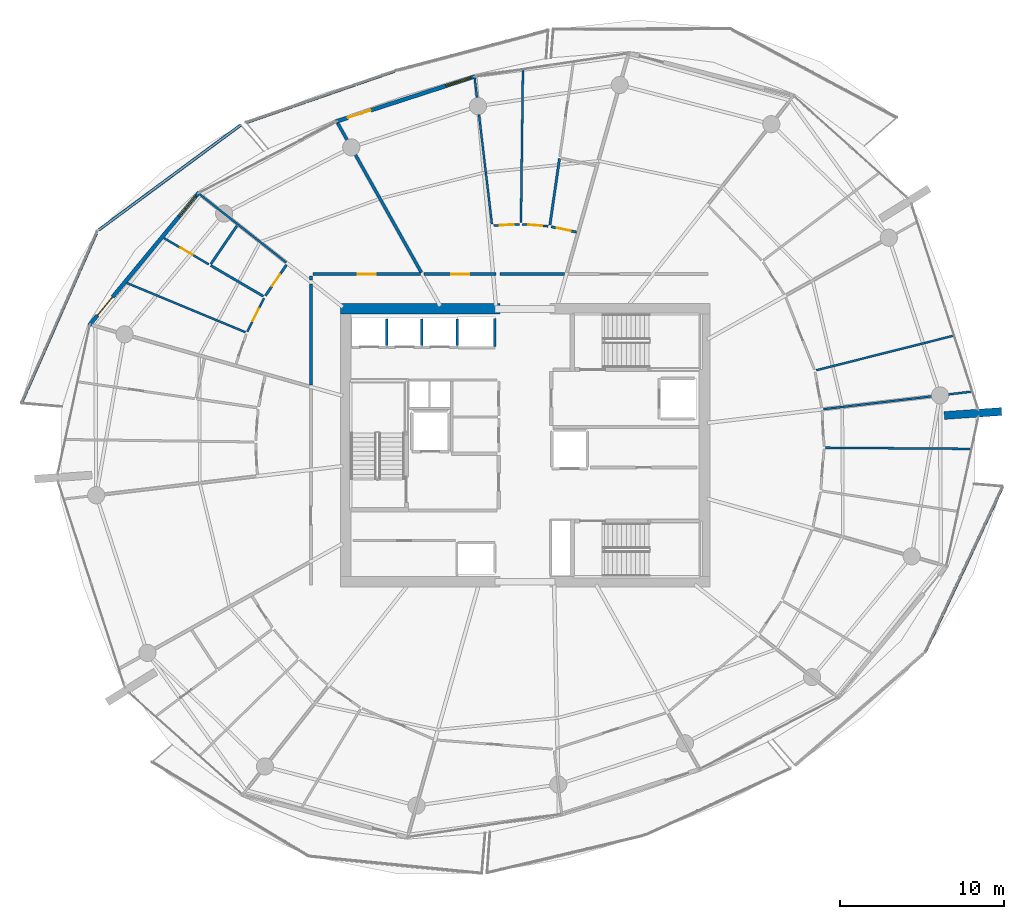
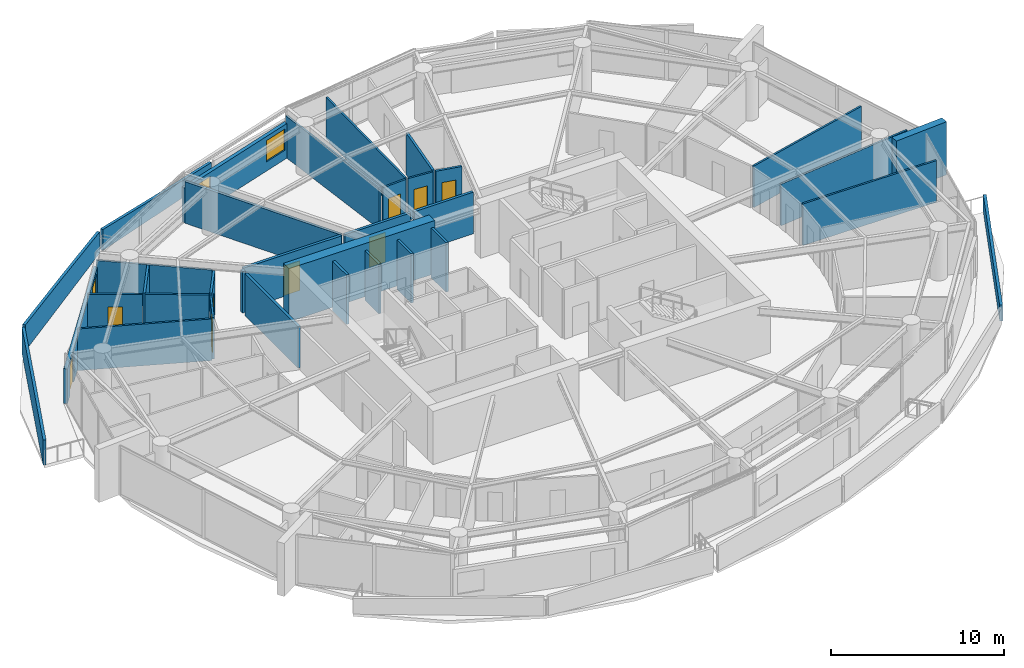
# One storey, part 13 of 19: 34 walls, 10 doors, 2 windows, 12 openings.
"""IFC4 building model written with IfcOpenShell, lengths in metres."""

from ifc_helpers import new_model, si_unit, direction, frame, frame_2d, origin, place, context, subcontext, project, spatial, polyline, rectangle, outline, extrude, material, layer, layer_set, type_object, element, fill, save


model = new_model("IFC4")

# Units and contexts
model_context = context("Model", 3, precision=1e-05, world=origin(), true_north=direction((0.0, 1.0)))
body_context = subcontext(model_context, "Body", "Model", "MODEL_VIEW")
ifc_project = project(units=[si_unit("LENGTHUNIT", "METRE"), si_unit("AREAUNIT", "SQUARE_METRE"), si_unit("VOLUMEUNIT", "CUBIC_METRE"), si_unit("PLANEANGLEUNIT", "RADIAN"), si_unit("MASSUNIT", "GRAM", prefix="KILO")], contexts=[model_context])

# Site, building, storey
site_placement = place(None, origin())
site = spatial("IfcSite", under=ifc_project, at=site_placement, CompositionType="ELEMENT")
building_placement = place(site_placement, origin())
building = spatial("IfcBuilding", under=site, at=building_placement, Name="Kazma Halo Residences", CompositionType="ELEMENT")
storey_placement = place(building_placement, frame((0.0, 0.0, 199.050048828125)))
storey = spatial("IfcBuildingStorey", under=building, at=storey_placement, Name="L50", CompositionType="ELEMENT", Elevation=199.050048828125)

# Walls
ifc_material_1 = material(Name="White Concrete C50/60 Balustrade", Category="concrete")
ifc_layer_1 = layer(ifc_material_1, 0.179931640625)
ifc_layer_set_1 = layer_set([ifc_layer_1], Name="White Concrete C50/60 Balustrade")
wall_type_1 = type_object("IfcWallType", Name="WL-BAL-WAVE-180", PredefinedType="PARAPET", material=ifc_layer_set_1)
wall_1_placement = place(storey_placement, frame((40.453369140625, 64.837646484375, 0.0), z_axis=(0.0, 0.0, 1.0), x_axis=(-0.944943422405, -0.327233752007, 0.0)))
element("IfcWall", 1, at=wall_1_placement, inside=storey, type_object=wall_type_1, Name="L50 white wave balustrade wall NNW.2", PredefinedType="PARAPET", context=body_context, shape_type="SweptSolid", body=[
    extrude(outline(polyline([(0.0, 0.0), (9.597412109375, 0.0), (9.59765625, 1.48291015625), (4.798828125, 1.283935546875), (0.0, 1.14794921875), (0.0, 0.0)])), frame((0.0, 0.08984375, 0.0), z_axis=(0.0, -1.0, 0.0), x_axis=(1.0, 0.0, 0.0)), (0.0, 0.0, 1.0), 0.179931640625),
])
wall_2_placement = place(storey_placement, frame((31.085693359375, 61.560791015625, 0.0), z_axis=(0.0, 0.0, 1.0), x_axis=(-0.804266043661, -0.594269409454, 0.0)))
element("IfcWall", 2, at=wall_2_placement, inside=storey, type_object=wall_type_1, Name="L50 white wave balustrade wall NW.1", PredefinedType="PARAPET", context=body_context, shape_type="SweptSolid", body=[
    extrude(outline(polyline([(0.0, 0.0), (10.7783203125, 0.0), (10.7783203125, 1.83203125), (5.38916015625, 1.696044921875), (0.0, 1.4970703125), (0.0, 0.0)])), frame((0.0, 0.08984375, 0.0), z_axis=(0.0, -1.0, 0.0), x_axis=(1.0, 0.0, 0.0)), (0.0, 0.0, 1.0), 0.179931640625),
])
wall_3_placement = place(storey_placement, frame((22.272216796875, 54.974609375, 0.0), z_axis=(0.0, 0.0, 1.0), x_axis=(-0.403762319035, -0.914863918694, 0.0)))
element("IfcWall", 3, at=wall_3_placement, inside=storey, type_object=wall_type_1, Name="L50 white wave balustrade wall NW.2", PredefinedType="PARAPET", context=body_context, shape_type="SweptSolid", body=[
    extrude(outline(polyline([(0.0, 0.0), (11.3701171875, 0.0), (11.369873046875, 1.755859375), (5.684814453125, 1.85302734375), (0.0, 1.83203125), (0.0, 0.0)])), frame((0.0, 0.08984375, 0.0), z_axis=(0.0, -1.0, 0.0), x_axis=(1.0, 0.0, 0.0)), (0.0, 0.0, 1.0), 0.179931640625),
])
wall_4_placement = place(storey_placement, frame((72.874267578125, 29.460693359375, 0.0), z_axis=(0.0, 0.0, 1.0), x_axis=(0.424187068479, 0.90557458607, 0.0)))
element("IfcWall", 4, at=wall_4_placement, inside=storey, type_object=wall_type_1, Name="L50 white wave balustrade wall SE.2", PredefinedType="PARAPET", context=body_context, shape_type="SweptSolid", body=[
    extrude(outline(polyline([(0.0, 0.0), (11.075927734375, 0.0), (11.075927734375, 1.223876953125), (5.5380859375, 1.126953125), (0.0, 1.14794921875), (0.0, 0.0)])), frame((0.0, 0.08984375, 0.0), z_axis=(0.0, -1.0, 0.0), x_axis=(1.0, 0.0, 0.0)), (0.0, 0.0, 1.0), 0.179931640625),
])
ifc_material_2 = material(Name="Pale Concrete C60/75", Category="concrete")
ifc_layer_2 = layer(ifc_material_2, 0.47998046875)
ifc_layer_set_2 = layer_set([ifc_layer_2], Name="Pale Concrete C60/75")
wall_type_2 = type_object("IfcWallType", Name="WL-BLADE-480", PredefinedType="SOLIDWALL", material=ifc_layer_set_2)
wall_5_placement = place(storey_placement, frame((74.0126953125, 43.819091796875, 0.0), z_axis=(0.0, 0.0, 1.0), x_axis=(0.997568676264, 0.069690287244, 0.0)))
element("IfcWall", 5, at=wall_5_placement, inside=storey, type_object=wall_type_2, Name="L50 pale concrete structural blade fin wall BW-04", PredefinedType="SOLIDWALL", context=body_context, shape_type="SweptSolid", body=[
    extrude(rectangle(XDim=3.499755859375, YDim=0.47998046875, at=frame_2d((1.75, 0.0))), origin(), (0.0, 0.0, 1.0), 3.75),
])
ifc_material_3 = material(Name="Concrete C60/75", Category="concrete")
ifc_layer_3 = layer(ifc_material_3, 0.64990234375)
ifc_layer_set_3 = layer_set([ifc_layer_3], Name="Concrete C60/75")
wall_type_3 = type_object("IfcWallType", Name="WL-CORE-650", PredefinedType="SHEAR", material=ifc_layer_set_3)
wall_6_placement = place(storey_placement, frame((37.14990234375, 50.324951171875, 0.0), z_axis=(0.0, 0.0, 1.0), x_axis=(1.0, 0.0, 0.0)))
element("IfcWall", 6, at=wall_6_placement, inside=storey, type_object=wall_type_3, Name="L50 central core shear wall NW", PredefinedType="SHEAR", context=body_context, shape_type="SweptSolid", body=[
    extrude(rectangle(XDim=9.75, YDim=0.64990234375, at=frame_2d((4.875, 0.0))), origin(), (0.0, 0.0, 1.0), 3.75),
])
ifc_material_4 = material(Name="Acoustic Twin-Stud Gypsum")
ifc_layer_4 = layer(ifc_material_4, 0.179931640625)
ifc_layer_set_4 = layer_set([ifc_layer_4], Name="Acoustic Twin-Stud Gypsum")
wall_type_4 = type_object("IfcWallType", Name="WL-DEM-180", PredefinedType="PARTITIONING", material=ifc_layer_set_4)
wall_7_placement = place(storey_placement, frame((42.093994140625, 52.5458984375, 0.0), z_axis=(0.0, 0.0, 1.0), x_axis=(-0.488614041717, 0.872500039104, 0.0)))
element("IfcWall", 7, at=wall_7_placement, inside=storey, type_object=wall_type_4, Name="L50 apartment demising radial wall 04", PredefinedType="PARTITIONING", context=body_context, shape_type="SweptSolid", body=[
    extrude(rectangle(XDim=10.448486328125, YDim=0.179931640625, at=frame_2d((5.22412109375, 0.0))), origin(), (0.0, 0.0, 1.0), 2.93994140625),
])

# Wall, opening, door
wall_8_placement = place(storey_placement, frame((46.643310546875, 52.449951171875, 0.0), z_axis=(0.0, 0.0, 1.0), x_axis=(-1.0, 0.0, 0.0)))
wall_8 = element("IfcWall", 8, at=wall_8_placement, inside=storey, type_object=wall_type_4, Name="L50 Apartment 1 entrance corridor wall", PredefinedType="PARTITIONING", context=body_context, shape_type="SweptSolid", body=[
    extrude(rectangle(XDim=4.375732421875, YDim=0.179931640625, at=frame_2d((2.18798828125, 0.0))), origin(), (0.0, 0.0, 1.0), 2.93994140625),
])
opening_1_placement = place(wall_8_placement, frame((1.6376953125, 0.0, 0.0)))
opening_1 = element("IfcOpeningElement", 9, at=opening_1_placement, cuts=wall_8, Name="Opening DA-1100", PredefinedType="OPENING", context=body_context, shape_type="SweptSolid", body=[
    extrude(rectangle(XDim=1.10009765625, YDim=2.10009765625, at=frame_2d((0.550048828125, 1.050048828125))), frame((0.0, 0.099853515625, 0.0), z_axis=(0.0, -1.0, 0.0), x_axis=(1.0, 0.0, 0.0)), (0.0, 0.0, 1.0), 0.199951171875),
])
ifc_material_5 = material(Name="Acoustic Walnut Fire Leaf")
door_type_1 = type_object("IfcDoorType", Name="DR-FD60-1100", OperationType="NOTDEFINED", PredefinedType="DOOR", material=ifc_material_5)
door_1_placement = place(opening_1_placement, origin())
door_1 = element("IfcDoor", 10, at=door_1_placement, inside=storey, type_object=door_type_1, Name="L50 Apartment 1 entrance fire door", OperationType="SINGLE_SWING_RIGHT", OverallHeight=2.10009765625, OverallWidth=1.10009765625, PredefinedType="DOOR", context=body_context, shape_type="SweptSolid", body=[
    extrude(rectangle(XDim=1.10009765625, YDim=2.10009765625, at=frame_2d((0.550048828125, 1.050048828125))), frame((0.0, 0.02490234375, 0.0), z_axis=(0.0, -1.0, 0.0), x_axis=(1.0, 0.0, 0.0)), (0.0, 0.0, 1.0), 0.050048828125),
])
fill(opening_1, door_1)

# Wall
wall_9_placement = place(storey_placement, frame((50.8271484375, 52.449951171875, 0.0), z_axis=(0.0, 0.0, 1.0), x_axis=(-1.0, 0.0, 0.0)))
element("IfcWall", 11, at=wall_9_placement, inside=storey, type_object=wall_type_4, Name="L50 Apartment 1 inner wall 2", PredefinedType="PARTITIONING", context=body_context, shape_type="SweptSolid", body=[
    extrude(rectangle(XDim=3.94384765625, YDim=0.179931640625, at=frame_2d((1.971923828125, 0.0))), origin(), (0.0, 0.0, 1.0), 2.93994140625),
])

# Wall, opening, door
wall_10_placement = place(storey_placement, frame((42.027587890625, 52.449951171875, 0.0), z_axis=(0.0, 0.0, 1.0), x_axis=(-1.0, 0.0, 0.0)))
wall_10 = element("IfcWall", 12, at=wall_10_placement, inside=storey, type_object=wall_type_4, Name="L50 Apartment 2 entrance corridor wall", PredefinedType="PARTITIONING", context=body_context, shape_type="SweptSolid", body=[
    extrude(rectangle(XDim=6.5576171875, YDim=0.179931640625, at=frame_2d((3.27880859375, 0.0))), origin(), (0.0, 0.0, 1.0), 2.93994140625),
])
opening_2_placement = place(wall_10_placement, frame((2.72900390625, 0.0, 0.0)))
opening_2 = element("IfcOpeningElement", 13, at=opening_2_placement, cuts=wall_10, Name="Opening DA-1100", PredefinedType="OPENING", context=body_context, shape_type="SweptSolid", body=[
    extrude(rectangle(XDim=1.10009765625, YDim=2.10009765625, at=frame_2d((0.550048828125, 1.050048828125))), frame((0.0, 0.099853515625, 0.0), z_axis=(0.0, -1.0, 0.0), x_axis=(1.0, 0.0, 0.0)), (0.0, 0.0, 1.0), 0.199951171875),
])
door_2_placement = place(opening_2_placement, origin())
door_2 = element("IfcDoor", 14, at=door_2_placement, inside=storey, type_object=door_type_1, Name="L50 Apartment 2 entrance fire door", OperationType="SINGLE_SWING_LEFT", OverallHeight=2.10009765625, OverallWidth=1.10009765625, PredefinedType="DOOR", context=body_context, shape_type="SweptSolid", body=[
    extrude(rectangle(XDim=1.10009765625, YDim=2.10009765625, at=frame_2d((0.550048828125, 1.050048828125))), frame((0.0, 0.02490234375, 0.0), z_axis=(0.0, -1.0, 0.0), x_axis=(1.0, 0.0, 0.0)), (0.0, 0.0, 1.0), 0.050048828125),
])
fill(opening_2, door_2)

# Walls
wall_11_placement = place(storey_placement, frame((35.35009765625, 52.330078125, 0.0), z_axis=(0.0, 0.0, 1.0), x_axis=(0.0, -1.0, 0.0)))
element("IfcWall", 15, at=wall_11_placement, inside=storey, type_object=wall_type_4, Name="L50 Apartment 2 entrance corridor wall", PredefinedType="PARTITIONING", context=body_context, shape_type="SweptSolid", body=[
    extrude(rectangle(XDim=0.237548828125, YDim=0.179931640625, at=frame_2d((0.11865234375, 0.0))), origin(), (0.0, 0.0, 1.0), 2.93994140625),
])
wall_12_placement = place(storey_placement, frame((35.35009765625, 51.8525390625, 0.0), z_axis=(0.0, 0.0, 1.0), x_axis=(0.0, -1.0, 0.0)))
element("IfcWall", 16, at=wall_12_placement, inside=storey, type_object=wall_type_4, Name="L50 Apartment 2 inner wall 5", PredefinedType="PARTITIONING", context=body_context, shape_type="SweptSolid", body=[
    extrude(rectangle(XDim=6.164794921875, YDim=0.179931640625, at=frame_2d((3.08251953125, 0.0))), origin(), (0.0, 0.0, 1.0), 2.93994140625),
])

# Wall, openings, door, window
ifc_material_6 = material(Name="Insulated Pale-Metal Composite Wall")
ifc_layer_5 = layer(ifc_material_6, 0.239990234375)
ifc_layer_set_5 = layer_set([ifc_layer_5], Name="Insulated Pale-Metal Composite Wall")
wall_type_5 = type_object("IfcWallType", Name="WL-EXT-HOST-240", PredefinedType="SOLIDWALL", material=ifc_layer_set_5)
wall_13_placement = place(storey_placement, frame((45.38427734375, 64.518798828125, 0.0), z_axis=(0.0, 0.0, 1.0), x_axis=(-0.951058543936, -0.309010753869, 0.0)))
wall_13 = element("IfcWall", 17, at=wall_13_placement, inside=storey, type_object=wall_type_5, Name="L50 exterior terrace-access wall B04", PredefinedType="SOLIDWALL", context=body_context, shape_type="SweptSolid", body=[
    extrude(rectangle(XDim=8.942138671875, YDim=0.239990234375, at=frame_2d((4.47119140625, 0.0))), origin(), (0.0, 0.0, 1.0), 2.449951171875),
])
opening_3_placement = place(wall_13_placement, frame((6.721923828125, 0.0, 0.0)))
opening_3 = element("IfcOpeningElement", 18, at=opening_3_placement, cuts=wall_13, Name="Opening DTR-1600", PredefinedType="OPENING", context=body_context, shape_type="SweptSolid", body=[
    extrude(rectangle(XDim=1.449951171875, YDim=2.14990234375, at=frame_2d((0.72509765625, 1.074951171875))), frame((0.0, 0.1298828125, 0.0), z_axis=(0.0, -1.0, 0.0), x_axis=(1.0, 0.0, 0.0)), (0.0, 0.0, 1.0), 0.260009765625),
])
opening_4_placement = place(wall_13_placement, frame((0.280029296875, 0.0, 0.64990234375)))
opening_4 = element("IfcOpeningElement", 19, at=opening_4_placement, cuts=wall_13, Name="Opening W-1800", PredefinedType="OPENING", context=body_context, shape_type="SweptSolid", body=[
    extrude(rectangle(XDim=1.60009765625, YDim=1.5, at=frame_2d((0.800048828125, 0.75))), frame((0.0, 0.1298828125, 0.0), z_axis=(0.0, -1.0, 0.0), x_axis=(1.0, 0.0, 0.0)), (0.0, 0.0, 1.0), 0.260009765625),
])
ifc_material_7 = material(Name="Aluminium AW-6063 T6 Double-Glazed Terrace Door", Category="aluminium")
door_type_2 = type_object("IfcDoorType", Name="DR-EXT-TERR-1600", OperationType="NOTDEFINED", PredefinedType="DOOR", material=ifc_material_7)
door_3_placement = place(opening_3_placement, origin())
door_3 = element("IfcDoor", 20, at=door_3_placement, inside=storey, type_object=door_type_2, Name="L50 B04 balcony terrace door", OperationType="DOUBLE_DOOR_SLIDING", OverallHeight=2.14990234375, OverallWidth=1.449951171875, PredefinedType="DOOR", context=body_context, shape_type="SweptSolid", body=[
    extrude(rectangle(XDim=1.449951171875, YDim=2.14990234375, at=frame_2d((0.72509765625, 1.074951171875))), frame((0.0, 0.02490234375, 0.0), z_axis=(0.0, -1.0, 0.0), x_axis=(1.0, 0.0, 0.0)), (0.0, 0.0, 1.0), 0.050048828125),
])
fill(opening_3, door_3)
ifc_material_8 = material(Name="Clear Triple-Silver Low-E Glass in Aluminium AW-6063 T6 Frame", Category="aluminium")
window_type = type_object("IfcWindowType", Name="WIN-RES-1800", PartitioningType="DOUBLE_PANEL_VERTICAL", PredefinedType="WINDOW", material=ifc_material_8)
window_1_placement = place(opening_4_placement, origin())
window_1 = element("IfcWindow", 21, at=window_1_placement, inside=storey, type_object=window_type, Name="L50 B04 apartment window", OverallHeight=1.5, OverallWidth=1.60009765625, PartitioningType="SINGLE_PANEL", PredefinedType="WINDOW", context=body_context, shape_type="SweptSolid", body=[
    extrude(rectangle(XDim=1.60009765625, YDim=1.5, at=frame_2d((0.800048828125, 0.75))), frame((0.0, 0.030029296875, 0.0), z_axis=(0.0, -1.0, 0.0), x_axis=(1.0, 0.0, 0.0)), (0.0, 0.0, 1.0), 0.06005859375),
])
fill(opening_4, window_1)

wall_14_placement = place(storey_placement, frame((28.514892578125, 57.42431640625, 0.0), z_axis=(0.0, 0.0, 1.0), x_axis=(-0.636759394418, -0.771062561418, 0.0)))
wall_14 = element("IfcWall", 22, at=wall_14_placement, inside=storey, type_object=wall_type_5, Name="L50 exterior terrace-access wall B06", PredefinedType="SOLIDWALL", context=body_context, shape_type="SweptSolid", body=[
    extrude(rectangle(XDim=10.494384765625, YDim=0.239990234375, at=frame_2d((5.2470703125, 0.0))), origin(), (0.0, 0.0, 1.0), 2.449951171875),
])
opening_5_placement = place(wall_14_placement, frame((8.2744140625, 0.0, 0.0)))
opening_5 = element("IfcOpeningElement", 23, at=opening_5_placement, cuts=wall_14, Name="Opening DTR-1600", PredefinedType="OPENING", context=body_context, shape_type="SweptSolid", body=[
    extrude(rectangle(XDim=1.449951171875, YDim=2.14990234375, at=frame_2d((0.72509765625, 1.074951171875))), frame((0.0, 0.1298828125, 0.0), z_axis=(0.0, -1.0, 0.0), x_axis=(1.0, 0.0, 0.0)), (0.0, 0.0, 1.0), 0.260009765625),
])
opening_6_placement = place(wall_14_placement, frame((0.280029296875, 0.0, 0.64990234375)))
opening_6 = element("IfcOpeningElement", 24, at=opening_6_placement, cuts=wall_14, Name="Opening W-1800", PredefinedType="OPENING", context=body_context, shape_type="SweptSolid", body=[
    extrude(rectangle(XDim=1.60009765625, YDim=1.5, at=frame_2d((0.800048828125, 0.75))), frame((0.0, 0.1298828125, 0.0), z_axis=(0.0, -1.0, 0.0), x_axis=(1.0, 0.0, 0.0)), (0.0, 0.0, 1.0), 0.260009765625),
])
door_4_placement = place(opening_5_placement, origin())
door_4 = element("IfcDoor", 25, at=door_4_placement, inside=storey, type_object=door_type_2, Name="L50 B06 balcony terrace door", OperationType="DOUBLE_DOOR_SLIDING", OverallHeight=2.14990234375, OverallWidth=1.449951171875, PredefinedType="DOOR", context=body_context, shape_type="SweptSolid", body=[
    extrude(rectangle(XDim=1.449951171875, YDim=2.14990234375, at=frame_2d((0.72509765625, 1.074951171875))), frame((0.0, 0.02490234375, 0.0), z_axis=(0.0, -1.0, 0.0), x_axis=(1.0, 0.0, 0.0)), (0.0, 0.0, 1.0), 0.050048828125),
])
fill(opening_5, door_4)
window_2_placement = place(opening_6_placement, origin())
window_2 = element("IfcWindow", 26, at=window_2_placement, inside=storey, type_object=window_type, Name="L50 B06 apartment window", OverallHeight=1.5, OverallWidth=1.60009765625, PartitioningType="SINGLE_PANEL", PredefinedType="WINDOW", context=body_context, shape_type="SweptSolid", body=[
    extrude(rectangle(XDim=1.60009765625, YDim=1.5, at=frame_2d((0.800048828125, 0.75))), frame((0.0, 0.030029296875, 0.0), z_axis=(0.0, -1.0, 0.0), x_axis=(1.0, 0.0, 0.0)), (0.0, 0.0, 1.0), 0.06005859375),
])
fill(opening_6, window_2)

# Walls
ifc_material_9 = material(Name="Fire-Rated Blockwork Masonry", Category="masonry")
ifc_layer_6 = layer(ifc_material_9, 0.199951171875)
ifc_layer_set_6 = layer_set([ifc_layer_6], Name="Fire-Rated Blockwork Masonry")
wall_type_6 = type_object("IfcWallType", Name="WL-FLB-200", PredefinedType="PARTITIONING", material=ifc_layer_set_6)
for number, where, z_axis, x_axis, name in (
    (27, (39.97509765625, 48.094970703125, 0.0), (0.0, 0.0, 1.0), (0.0, 1.0, 0.0), "L50 lift shaft PM-01 side wall E"),
    (28, (42.125, 48.094970703125, 0.0), (0.0, 0.0, 1.0), (0.0, 1.0, 0.0), "L50 lift shaft PM-02 side wall E"),
    (29, (44.27490234375, 48.094970703125, 0.0), (0.0, 0.0, 1.0), (0.0, 1.0, 0.0), "L50 lift shaft PM-03 side wall E"),
):
    element("IfcWall", number, at=place(storey_placement, frame(where, z_axis=z_axis, x_axis=x_axis)), inside=storey, type_object=wall_type_6, Name=name, PredefinedType="PARTITIONING", context=body_context, shape_type="SweptSolid", body=[
        extrude(rectangle(XDim=1.610107421875, YDim=0.159912109375, at=frame_2d((0.80517578125, 0.0))), origin(), (0.0, 0.0, 1.0), 3.5),
    ])
wall_15_placement = place(storey_placement, frame((46.580078125, 48.044921875, 0.0), z_axis=(0.0, 0.0, 1.0), x_axis=(0.0, 1.0, 0.0)))
element("IfcWall", 30, at=wall_15_placement, inside=storey, type_object=wall_type_6, Name="L50 lift shaft PX-01 side wall E", PredefinedType="PARTITIONING", context=body_context, shape_type="SweptSolid", body=[
    extrude(rectangle(XDim=1.7099609375, YDim=0.159912109375, at=frame_2d((0.85498046875, 0.0))), origin(), (0.0, 0.0, 1.0), 3.5),
])
ifc_material_10 = material(Name="Gypsum Plasterboard Partition")
ifc_layer_7 = layer(ifc_material_10, 0.125)
ifc_layer_set_7 = layer_set([ifc_layer_7], Name="Gypsum Plasterboard Partition")
wall_type_7 = type_object("IfcWallType", Name="WL-PART-125", PredefinedType="PARTITIONING", material=ifc_layer_set_7)
wall_16_placement = place(storey_placement, frame((46.40185546875, 55.502685546875, 0.0), z_axis=(0.0, 0.0, 1.0), x_axis=(-0.117526089467, 0.993069795279, 0.0)))
element("IfcWall", 31, at=wall_16_placement, inside=storey, type_object=wall_type_7, Name="L50 Apartment 1 living radial partition 2", PredefinedType="PARTITIONING", context=body_context, shape_type="SweptSolid", body=[
    extrude(rectangle(XDim=9.03857421875, YDim=0.125, at=frame_2d((4.519287109375, 0.0))), origin(), (0.0, 0.0, 1.0), 2.93994140625),
])
wall_17_placement = place(storey_placement, frame((48.17333984375, 55.5859375, 0.0), z_axis=(0.0, 0.0, 1.0), x_axis=(0.012758799277, 0.999918603208, 0.0)))
element("IfcWall", 32, at=wall_17_placement, inside=storey, type_object=wall_type_7, Name="L50 Apartment 1 suite divider 2", PredefinedType="PARTITIONING", context=body_context, shape_type="SweptSolid", body=[
    extrude(rectangle(XDim=9.337890625, YDim=0.125, at=frame_2d((4.6689453125, 0.0))), origin(), (0.0, 0.0, 1.0), 2.93994140625),
])

# Wall, opening, door
wall_18_placement = place(storey_placement, frame((49.83837890625, 55.365478515625, 0.0), z_axis=(0.0, 0.0, 1.0), x_axis=(-0.996945175666, 0.078104524306, 0.0)))
wall_18 = element("IfcWall", 33, at=wall_18_placement, inside=storey, type_object=wall_type_7, Name="L50 Apartment 1 Gourmet Kitchen hall wall", PredefinedType="PARTITIONING", context=body_context, shape_type="SweptSolid", body=[
    extrude(rectangle(XDim=1.591064453125, YDim=0.125, at=frame_2d((0.79541015625, 0.0))), origin(), (0.0, 0.0, 1.0), 2.93994140625),
])
opening_7_placement = place(wall_18_placement, frame((0.37060546875, 0.0, 0.0)))
opening_7 = element("IfcOpeningElement", 34, at=opening_7_placement, cuts=wall_18, Name="Opening DB-900", PredefinedType="OPENING", context=body_context, shape_type="SweptSolid", body=[
    extrude(rectangle(XDim=0.85009765625, YDim=2.06005859375, at=frame_2d((0.425048828125, 1.030029296875))), frame((0.0, 0.072509765625, 0.0), z_axis=(0.0, -1.0, 0.0), x_axis=(1.0, 0.0, 0.0)), (0.0, 0.0, 1.0), 0.14501953125),
])
ifc_material_11 = material(Name="Moisture-Sealed Timber Leaf", Category="wood")
door_type_3 = type_object("IfcDoorType", Name="DR-BTH-900", OperationType="NOTDEFINED", PredefinedType="DOOR", material=ifc_material_11)
door_5_placement = place(opening_7_placement, origin())
door_5 = element("IfcDoor", 35, at=door_5_placement, inside=storey, type_object=door_type_3, Name="L50 Apartment 1 Gourmet Kitchen door", OperationType="SINGLE_SWING_LEFT", OverallHeight=2.06005859375, OverallWidth=0.85009765625, PredefinedType="DOOR", context=body_context, shape_type="SweptSolid", body=[
    extrude(rectangle(XDim=0.85009765625, YDim=2.06005859375, at=frame_2d((0.425048828125, 1.030029296875))), frame((0.0, 0.02490234375, 0.0), z_axis=(0.0, -1.0, 0.0), x_axis=(1.0, 0.0, 0.0)), (0.0, 0.0, 1.0), 0.050048828125),
])
fill(opening_7, door_5)

wall_19_placement = place(storey_placement, frame((48.09228515625, 55.49169921875, 0.0), z_axis=(0.0, 0.0, 1.0), x_axis=(-0.998620813703, -0.052502099375, 0.0)))
wall_19 = element("IfcWall", 36, at=wall_19_placement, inside=storey, type_object=wall_type_7, Name="L50 Apartment 1 Primary Bedroom hall wall", PredefinedType="PARTITIONING", context=body_context, shape_type="SweptSolid", body=[
    extrude(rectangle(XDim=1.5810546875, YDim=0.125, at=frame_2d((0.79052734375, 0.0))), origin(), (0.0, 0.0, 1.0), 2.93994140625),
])
opening_8_placement = place(wall_19_placement, frame((0.365478515625, 0.0, 0.0)))
opening_8 = element("IfcOpeningElement", 37, at=opening_8_placement, cuts=wall_19, Name="Opening DB-900", PredefinedType="OPENING", context=body_context, shape_type="SweptSolid", body=[
    extrude(rectangle(XDim=0.85009765625, YDim=2.06005859375, at=frame_2d((0.425048828125, 1.030029296875))), frame((0.0, 0.072509765625, 0.0), z_axis=(0.0, -1.0, 0.0), x_axis=(1.0, 0.0, 0.0)), (0.0, 0.0, 1.0), 0.14501953125),
])
door_6_placement = place(opening_8_placement, origin())
door_6 = element("IfcDoor", 38, at=door_6_placement, inside=storey, type_object=door_type_3, Name="L50 Apartment 1 Primary Bedroom door", OperationType="SINGLE_SWING_RIGHT", OverallHeight=2.06005859375, OverallWidth=0.85009765625, PredefinedType="DOOR", context=body_context, shape_type="SweptSolid", body=[
    extrude(rectangle(XDim=0.85009765625, YDim=2.06005859375, at=frame_2d((0.425048828125, 1.030029296875))), frame((0.0, 0.02490234375, 0.0), z_axis=(0.0, -1.0, 0.0), x_axis=(1.0, 0.0, 0.0)), (0.0, 0.0, 1.0), 0.050048828125),
])
fill(opening_8, door_6)

# Wall
wall_20_placement = place(storey_placement, frame((33.84228515625, 53.160888671875, 0.0), z_axis=(0.0, 0.0, 1.0), x_axis=(-0.785311801239, 0.619100456173, 0.0)))
element("IfcWall", 39, at=wall_20_placement, inside=storey, type_object=wall_type_7, Name="L50 Apartment 2 radial partition 5", PredefinedType="PARTITIONING", context=body_context, shape_type="SweptSolid", body=[
    extrude(rectangle(XDim=6.79931640625, YDim=0.125, at=frame_2d((3.399658203125, 0.0))), origin(), (0.0, 0.0, 1.0), 2.93994140625),
])

# Wall, opening, door
wall_21_placement = place(storey_placement, frame((29.125, 53.042724609375, 0.0), z_axis=(0.0, 0.0, 1.0), x_axis=(-0.86310104794, 0.505031267393, 0.0)))
wall_21 = element("IfcWall", 40, at=wall_21_placement, inside=storey, type_object=wall_type_7, Name="L50 Apartment 2 Utility Laundry Room partition wall", PredefinedType="PARTITIONING", context=body_context, shape_type="SweptSolid", body=[
    extrude(rectangle(XDim=3.177978515625, YDim=0.125, at=frame_2d((1.5888671875, 0.0))), origin(), (0.0, 0.0, 1.0), 2.93994140625),
])
opening_9_placement = place(wall_21_placement, frame((1.1640625, 0.0, 0.0)))
opening_9 = element("IfcOpeningElement", 41, at=opening_9_placement, cuts=wall_21, Name="Opening DB-900", PredefinedType="OPENING", context=body_context, shape_type="SweptSolid", body=[
    extrude(rectangle(XDim=0.85009765625, YDim=2.06005859375, at=frame_2d((0.425048828125, 1.030029296875))), frame((0.0, 0.072509765625, 0.0), z_axis=(0.0, -1.0, 0.0), x_axis=(1.0, 0.0, 0.0)), (0.0, 0.0, 1.0), 0.14501953125),
])
door_7_placement = place(opening_9_placement, origin())
door_7 = element("IfcDoor", 42, at=door_7_placement, inside=storey, type_object=door_type_3, Name="L50 Apartment 2 Utility Laundry Room door", OperationType="SINGLE_SWING_LEFT", OverallHeight=2.06005859375, OverallWidth=0.85009765625, PredefinedType="DOOR", context=body_context, shape_type="SweptSolid", body=[
    extrude(rectangle(XDim=0.85009765625, YDim=2.06005859375, at=frame_2d((0.425048828125, 1.030029296875))), frame((0.0, 0.02490234375, 0.0), z_axis=(0.0, -1.0, 0.0), x_axis=(1.0, 0.0, 0.0)), (0.0, 0.0, 1.0), 0.050048828125),
])
fill(opening_9, door_7)

# Wall
wall_22_placement = place(storey_placement, frame((31.357177734375, 48.90380859375, 0.0), z_axis=(0.0, 0.0, 1.0), x_axis=(-0.92368191635, 0.383160172002, 0.0)))
element("IfcWall", 43, at=wall_22_placement, inside=storey, type_object=wall_type_7, Name="L50 Apartment 2 suite divider 5", PredefinedType="PARTITIONING", context=body_context, shape_type="SweptSolid", body=[
    extrude(rectangle(XDim=7.841064453125, YDim=0.125, at=frame_2d((3.92041015625, 0.0))), origin(), (0.0, 0.0, 1.0), 2.93994140625),
])

# Wall, opening, door
wall_23_placement = place(storey_placement, frame((32.485595703125, 50.97265625, 0.0), z_axis=(0.0, 0.0, 1.0), x_axis=(-0.445060172417, -0.895500666068, 0.0)))
wall_23 = element("IfcWall", 44, at=wall_23_placement, inside=storey, type_object=wall_type_7, Name="L50 Apartment 2 Gourmet Kitchen hall wall", PredefinedType="PARTITIONING", context=body_context, shape_type="SweptSolid", body=[
    extrude(rectangle(XDim=2.268798828125, YDim=0.125, at=frame_2d((1.13427734375, 0.0))), origin(), (0.0, 0.0, 1.0), 2.93994140625),
])
opening_10_placement = place(wall_23_placement, frame((0.70947265625, 0.0, 0.0)))
opening_10 = element("IfcOpeningElement", 45, at=opening_10_placement, cuts=wall_23, Name="Opening DB-900", PredefinedType="OPENING", context=body_context, shape_type="SweptSolid", body=[
    extrude(rectangle(XDim=0.85009765625, YDim=2.06005859375, at=frame_2d((0.425048828125, 1.030029296875))), frame((0.0, 0.072509765625, 0.0), z_axis=(0.0, -1.0, 0.0), x_axis=(1.0, 0.0, 0.0)), (0.0, 0.0, 1.0), 0.14501953125),
])
door_8_placement = place(opening_10_placement, origin())
door_8 = element("IfcDoor", 46, at=door_8_placement, inside=storey, type_object=door_type_3, Name="L50 Apartment 2 Gourmet Kitchen door", OperationType="SINGLE_SWING_RIGHT", OverallHeight=2.06005859375, OverallWidth=0.85009765625, PredefinedType="DOOR", context=body_context, shape_type="SweptSolid", body=[
    extrude(rectangle(XDim=0.85009765625, YDim=2.06005859375, at=frame_2d((0.425048828125, 1.030029296875))), frame((0.0, 0.02490234375, 0.0), z_axis=(0.0, -1.0, 0.0), x_axis=(1.0, 0.0, 0.0)), (0.0, 0.0, 1.0), 0.050048828125),
])
fill(opening_10, door_8)

# Walls
wall_24_placement = place(storey_placement, frame((66.766357421875, 41.8525390625, 0.0), z_axis=(0.0, 0.0, 1.0), x_axis=(0.999969292204, -0.007836749939, 0.0)))
element("IfcWall", 47, at=wall_24_placement, inside=storey, type_object=wall_type_7, Name="L50 Apartment 4 bay wall 2 14", PredefinedType="PARTITIONING", context=body_context, shape_type="SweptSolid", body=[
    extrude(rectangle(XDim=8.878662109375, YDim=0.125, at=frame_2d((4.439453125, 0.0))), origin(), (0.0, 0.0, 1.0), 2.93994140625),
])
wall_25_placement = place(storey_placement, frame((66.646728515625, 44.20703125, 0.0), z_axis=(0.0, 0.0, 1.0), x_axis=(0.993068115644, 0.117540281145, 0.0)))
element("IfcWall", 48, at=wall_25_placement, inside=storey, type_object=wall_type_7, Name="L50 Apartment 4 radial partition 15", PredefinedType="PARTITIONING", context=body_context, shape_type="SweptSolid", body=[
    extrude(rectangle(XDim=9.118408203125, YDim=0.125, at=frame_2d((4.55908203125, 0.0))), origin(), (0.0, 0.0, 1.0), 2.93994140625),
])
wall_26_placement = place(storey_placement, frame((66.19921875, 46.58154296875, 0.0), z_axis=(0.0, 0.0, 1.0), x_axis=(0.969747932206, 0.244108475851, 0.0)))
element("IfcWall", 49, at=wall_26_placement, inside=storey, type_object=wall_type_7, Name="L50 Apartment 4 mid-bay wall 15", PredefinedType="PARTITIONING", context=body_context, shape_type="SweptSolid", body=[
    extrude(rectangle(XDim=8.654052734375, YDim=0.125, at=frame_2d((4.3271484375, 0.0))), origin(), (0.0, 0.0, 1.0), 2.93994140625),
])

# Wall, opening, door
ifc_material_12 = material(Name="Moisture-Resistant Gypsum")
ifc_layer_8 = layer(ifc_material_12, 0.14990234375)
ifc_layer_set_8 = layer_set([ifc_layer_8], Name="Moisture-Resistant Gypsum")
wall_type_8 = type_object("IfcWallType", Name="WL-WET-150", PredefinedType="PARTITIONING", material=ifc_layer_set_8)
wall_27_placement = place(storey_placement, frame((51.56591796875, 55.010986328125, 0.0), z_axis=(0.0, 0.0, 1.0), x_axis=(-0.978219904541, 0.207571236833, 0.0)))
wall_27 = element("IfcWall", 50, at=wall_27_placement, inside=storey, type_object=wall_type_8, Name="L50 Apartment 1 Guest Bathroom hall wall", PredefinedType="PARTITIONING", context=body_context, shape_type="SweptSolid", body=[
    extrude(rectangle(XDim=1.584228515625, YDim=0.14990234375, at=frame_2d((0.7919921875, 0.0))), origin(), (0.0, 0.0, 1.0), 2.93994140625),
])
opening_11_placement = place(wall_27_placement, frame((0.3671875, 0.0, 0.0)))
opening_11 = element("IfcOpeningElement", 51, at=opening_11_placement, cuts=wall_27, Name="Opening DB-900", PredefinedType="OPENING", context=body_context, shape_type="SweptSolid", body=[
    extrude(rectangle(XDim=0.85009765625, YDim=2.06005859375, at=frame_2d((0.425048828125, 1.030029296875))), frame((0.0, 0.0849609375, 0.0), z_axis=(0.0, -1.0, 0.0), x_axis=(1.0, 0.0, 0.0)), (0.0, 0.0, 1.0), 0.169921875),
])
door_9_placement = place(opening_11_placement, origin())
door_9 = element("IfcDoor", 52, at=door_9_placement, inside=storey, type_object=door_type_3, Name="L50 Apartment 1 Guest Bathroom door", OperationType="SINGLE_SWING_LEFT", OverallHeight=2.06005859375, OverallWidth=0.85009765625, PredefinedType="DOOR", context=body_context, shape_type="SweptSolid", body=[
    extrude(rectangle(XDim=0.85009765625, YDim=2.06005859375, at=frame_2d((0.425048828125, 1.030029296875))), frame((0.0, 0.02490234375, 0.0), z_axis=(0.0, -1.0, 0.0), x_axis=(1.0, 0.0, 0.0)), (0.0, 0.0, 1.0), 0.050048828125),
])
fill(opening_11, door_9)

# Wall
wall_28_placement = place(storey_placement, frame((49.94091796875, 55.44775390625, 0.0), z_axis=(0.0, 0.0, 1.0), x_axis=(0.142850308916, 0.989744304981, 0.0)))
element("IfcWall", 53, at=wall_28_placement, inside=storey, type_object=wall_type_8, Name="L50 Apartment 1 Guest Bathroom side wall", PredefinedType="PARTITIONING", context=body_context, shape_type="SweptSolid", body=[
    extrude(rectangle(XDim=4.08984375, YDim=0.14990234375, at=frame_2d((2.044921875, 0.0))), origin(), (0.0, 0.0, 1.0), 2.93994140625),
])

# Wall, opening, door
wall_29_placement = place(storey_placement, frame((33.864501953125, 53.0166015625, 0.0), z_axis=(0.0, 0.0, 1.0), x_axis=(-0.563393152346, -0.826188934742, 0.0)))
wall_29 = element("IfcWall", 54, at=wall_29_placement, inside=storey, type_object=wall_type_8, Name="L50 Apartment 2 Guest Bathroom hall wall", PredefinedType="PARTITIONING", context=body_context, shape_type="SweptSolid", body=[
    extrude(rectangle(XDim=2.286376953125, YDim=0.14990234375, at=frame_2d((1.14306640625, 0.0))), origin(), (0.0, 0.0, 1.0), 2.93994140625),
])
opening_12_placement = place(wall_29_placement, frame((0.718017578125, 0.0, 0.0)))
opening_12 = element("IfcOpeningElement", 55, at=opening_12_placement, cuts=wall_29, Name="Opening DB-900", PredefinedType="OPENING", context=body_context, shape_type="SweptSolid", body=[
    extrude(rectangle(XDim=0.85009765625, YDim=2.06005859375, at=frame_2d((0.425048828125, 1.030029296875))), frame((0.0, 0.0849609375, 0.0), z_axis=(0.0, -1.0, 0.0), x_axis=(1.0, 0.0, 0.0)), (0.0, 0.0, 1.0), 0.169921875),
])
door_10_placement = place(opening_12_placement, origin())
door_10 = element("IfcDoor", 56, at=door_10_placement, inside=storey, type_object=door_type_3, Name="L50 Apartment 2 Guest Bathroom door", OperationType="SINGLE_SWING_RIGHT", OverallHeight=2.06005859375, OverallWidth=0.85009765625, PredefinedType="DOOR", context=body_context, shape_type="SweptSolid", body=[
    extrude(rectangle(XDim=0.85009765625, YDim=2.06005859375, at=frame_2d((0.425048828125, 1.030029296875))), frame((0.0, 0.02490234375, 0.0), z_axis=(0.0, -1.0, 0.0), x_axis=(1.0, 0.0, 0.0)), (0.0, 0.0, 1.0), 0.050048828125),
])
fill(opening_12, door_10)

# Walls
wall_30_placement = place(storey_placement, frame((30.841064453125, 55.39990234375, 0.0), z_axis=(0.0, 0.0, 1.0), x_axis=(-0.563406719549, -0.826179682858, 0.0)))
element("IfcWall", 57, at=wall_30_placement, inside=storey, type_object=wall_type_8, Name="L50 Apartment 2 Guest Bathroom back wall", PredefinedType="PARTITIONING", context=body_context, shape_type="SweptSolid", body=[
    extrude(rectangle(XDim=2.81787109375, YDim=0.14990234375, at=frame_2d((1.408935546875, 0.0))), origin(), (0.0, 0.0, 1.0), 2.93994140625),
])
wall_31_placement = place(storey_placement, frame((32.447998046875, 51.0986328125, 0.0), z_axis=(0.0, 0.0, 1.0), x_axis=(-0.863104482894, 0.505025396994, 0.0)))
element("IfcWall", 58, at=wall_31_placement, inside=storey, type_object=wall_type_8, Name="L50 Apartment 2 Guest Bathroom side wall", PredefinedType="PARTITIONING", context=body_context, shape_type="SweptSolid", body=[
    extrude(rectangle(XDim=3.719970703125, YDim=0.14990234375, at=frame_2d((1.85986328125, 0.0))), origin(), (0.0, 0.0, 1.0), 2.93994140625),
])

save(model, "model.ifc")
